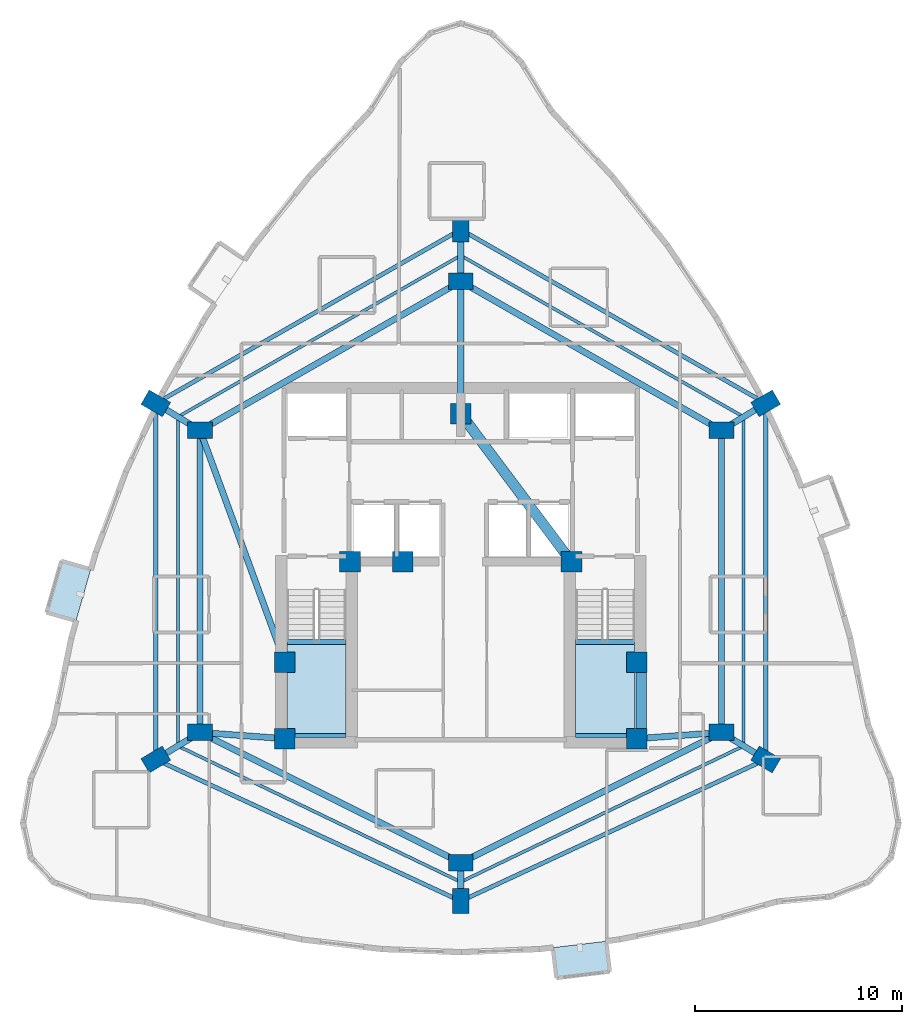
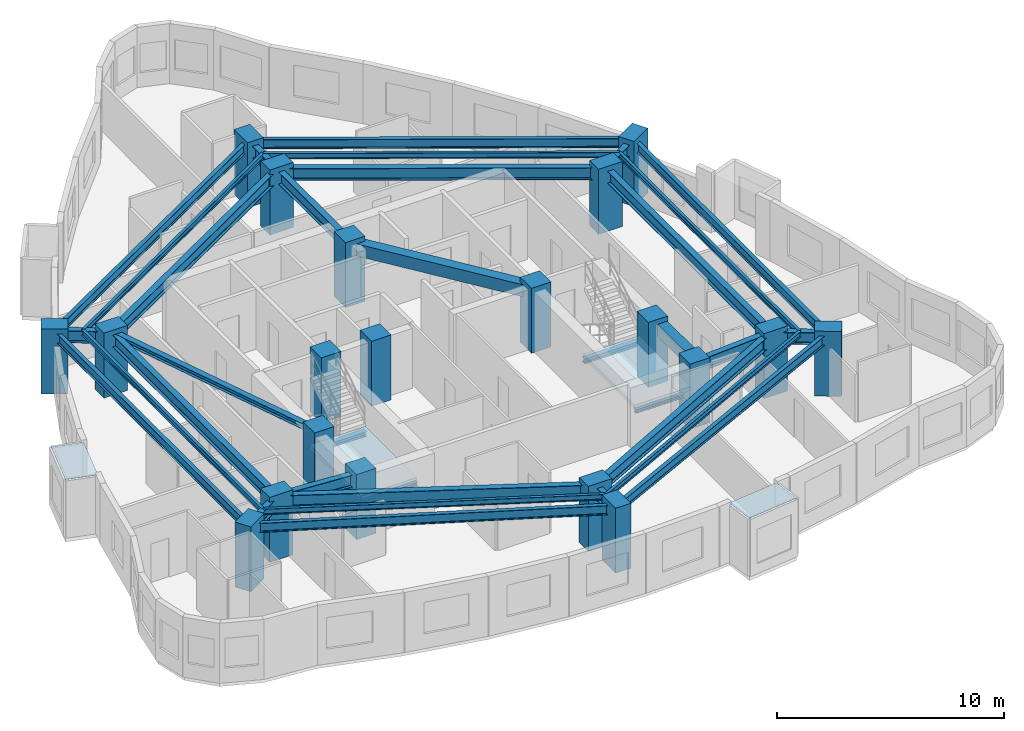
# One storey, part 1 of 10: 34 beams, 20 columns, 2 plates, 2 slabs, 2 elements without a shape of their own.
"""IFC4 building model written with IfcOpenShell, lengths in metres."""

from ifc_helpers import new_model, si_unit, direction, frame, origin, origin_2d, place, context, subcontext, project, spatial, polyline, rectangle, i_section, outline, extrude, material, layer, layer_set, material_profile, profile_set, type_object, element, aggregate, save


model = new_model("IFC4")

# Units and contexts
model_context = context("Model", 3, precision=1e-05, world=origin(), true_north=direction((0.0, 1.0)))
body_context = subcontext(model_context, "Body", "Model", "MODEL_VIEW")
ifc_project = project(units=[si_unit("LENGTHUNIT", "METRE"), si_unit("AREAUNIT", "SQUARE_METRE"), si_unit("VOLUMEUNIT", "CUBIC_METRE"), si_unit("PLANEANGLEUNIT", "RADIAN"), si_unit("MASSUNIT", "GRAM", prefix="KILO")], contexts=[model_context])

# Site, building, storey
site_placement = place(None, origin())
site = spatial("IfcSite", under=ifc_project, at=site_placement, CompositionType="ELEMENT")
building_placement = place(site_placement, origin())
building = spatial("IfcBuilding", under=site, at=building_placement, Name="Miruveldt Soraemaru", CompositionType="ELEMENT")
storey_placement = place(building_placement, frame((0.0, 0.0, 173.89990234375)))
storey = spatial("IfcBuildingStorey", under=building, at=storey_placement, Name="L48", CompositionType="ELEMENT", Elevation=173.89990234375)

# Columns
ifc_material_1 = material(Name="Concrete C60/75 (60 MPa)", Category="concrete")
ifc_material_profile_1 = material_profile(ifc_material_1, rectangle(XDim=1.0, YDim=1.0, at=origin_2d()), Name="Concrete C60/75 (60 MPa)", Category="concrete")
ifc_profile_set_1 = profile_set([ifc_material_profile_1], Name="Concrete C60/75 (60 MPa)")
column_type_1 = type_object("IfcColumnType", Name="COL-CORE-1000", PredefinedType="COLUMN", material=ifc_profile_set_1)
for number, where, z_axis, x_axis, name in (
    (1, (35.5, 35.5, 0.0), (0.0, 0.0, 1.0), (1.0, 0.0, 0.0), "L48 Structural Column CC1"),
    (2, (38.64990234375, 44.050048828125, 0.0), (0.0, 0.0, 1.0), (1.0, 0.0, 0.0), "L48 Structural Column CC2"),
    (3, (52.5, 35.5, 0.0), (0.0, 0.0, 1.0), (1.0, 0.0, 0.0), "L48 Structural Column CC3"),
    (4, (52.5, 39.199951171875, 0.0), (0.0, 0.0, 1.0), (1.0, 0.0, 0.0), "L48 Structural Column CC4"),
    (5, (49.35009765625, 44.050048828125, 0.0), (0.0, 0.0, 1.0), (1.0, 0.0, 0.0), "L48 Structural Column CC5"),
    (6, (44.0, 51.199951171875, 0.0), (0.0, 0.0, 1.0), (1.0, 0.0, 0.0), "L48 Structural Column CC6"),
    (7, (35.5, 39.199951171875, 0.0), (0.0, 0.0, 1.0), (1.0, 0.0, 0.0), "L48 Structural Column CC7"),
    (8, (41.199951171875, 44.050048828125, 0.0), (0.0, 0.0, 1.0), (1.0, 0.0, 0.0), "L48 Structural Column CC8"),
):
    element("IfcColumn", number, at=place(storey_placement, frame(where, z_axis=z_axis, x_axis=x_axis)), inside=storey, type_object=column_type_1, Name=name, PredefinedType="COLUMN", context=body_context, shape_type="SweptSolid", body=[
        extrude(rectangle(XDim=1.0, YDim=1.0, at=origin_2d()), origin(), (0.0, 0.0, 1.0), 3.5),
    ])
ifc_material_2 = material(Name="Concrete C70/85 (70 MPa)", Category="concrete")
ifc_material_profile_2 = material_profile(ifc_material_2, rectangle(XDim=1.199951171875, YDim=0.800048828125, at=origin_2d()), Name="Concrete C70/85 (70 MPa)", Category="concrete")
ifc_profile_set_2 = profile_set([ifc_material_profile_2], Name="Concrete C70/85 (70 MPa)")
column_type_2 = type_object("IfcColumnType", Name="COL-TW-Z2", PredefinedType="COLUMN", material=ifc_profile_set_2)
for number, where, z_axis, x_axis, name in (
    (9, (44.0, 57.60009765625, 0.0), (0.0, 0.0, 1.0), (1.0, 0.0, 0.0), "L48 Structural Column IR01"),
    (10, (56.60009765625, 50.39990234375, 0.0), (0.0, 0.0, 1.0), (1.0, 0.0, 0.0), "L48 Structural Column IR02"),
    (11, (56.60009765625, 35.800048828125, 0.0), (0.0, 0.0, 1.0), (1.0, 0.0, 0.0), "L48 Structural Column IR03"),
    (12, (44.0, 29.5, 0.0), (0.0, 0.0, 1.0), (1.0, 0.0, 0.0), "L48 Structural Column IR04"),
    (13, (31.39990234375, 35.800048828125, 0.0), (0.0, 0.0, 1.0), (1.0, 0.0, 0.0), "L48 Structural Column IR05"),
    (14, (31.39990234375, 50.39990234375, 0.0), (0.0, 0.0, 1.0), (1.0, 0.0, 0.0), "L48 Structural Column IR06"),
    (15, (44.0, 60.10595703125, 0.0), (0.0, 0.0, 1.0), (0.0, 1.0, 0.0), "L48 Structural Column Z2P01"),
    (16, (58.739990234375, 51.705078125, 0.0), (0.0, 0.0, 1.0), (0.866025403784, 0.5, 0.0), "L48 Structural Column Z2P02"),
    (17, (58.739990234375, 34.4951171875, 0.0), (0.0, 0.0, 1.0), (-0.860742027004, 0.50904141575, 0.0), "L48 Structural Column Z2P03"),
    (18, (44.0, 27.64697265625, 0.0), (0.0, 0.0, 1.0), (0.0, 1.0, 0.0), "L48 Structural Column Z2P04"),
    (19, (29.260009765625, 34.4951171875, 0.0), (0.0, 0.0, 1.0), (0.860742027004, 0.50904141575, 0.0), "L48 Structural Column Z2P05"),
    (20, (29.260009765625, 51.705078125, 0.0), (0.0, 0.0, 1.0), (-0.866025403784, 0.5, 0.0), "L48 Structural Column Z2P06"),
):
    element("IfcColumn", number, at=place(storey_placement, frame(where, z_axis=z_axis, x_axis=x_axis)), inside=storey, type_object=column_type_2, Name=name, PredefinedType="COLUMN", context=body_context, shape_type="SweptSolid", body=[
        extrude(rectangle(XDim=1.199951171875, YDim=0.800048828125, at=origin_2d()), origin(), (0.0, 0.0, 1.0), 3.5),
    ])

# Beams
ifc_material_3 = material(Name="Steel SM355 (355 MPa)", Category="steel")
ifc_material_profile_3 = material_profile(ifc_material_3, i_section(OverallWidth=0.300048828125, OverallDepth=0.300048828125, WebThickness=0.010009765625, FlangeThickness=0.014892578125, FilletRadius=0.01806640625, at=origin_2d()), Name="Steel SM355 (355 MPa)", Category="steel")
ifc_profile_set_3 = profile_set([ifc_material_profile_3], Name="Steel SM355 (355 MPa)")
beam_type_1 = type_object("IfcBeamType", Name="BM-LNT-H300", PredefinedType="LINTEL", material=ifc_profile_set_3)
beam_1_placement = place(storey_placement, frame((31.39990234375, 50.39990234375, 3.085205078125), z_axis=(0.343770424598, -0.939053723262, 0.0), x_axis=(0.939053723262, 0.343770424598, 0.0)))
element("IfcBeam", 21, at=beam_1_placement, inside=storey, type_object=beam_type_1, Name="L48 West Lobby Lintel", PredefinedType="LINTEL", context=body_context, shape_type="SweptSolid", body=[
    extrude(i_section(OverallWidth=0.300048828125, OverallDepth=0.300048828125, WebThickness=0.010009765625, FlangeThickness=0.014892578125, FilletRadius=0.01806640625, at=origin_2d()), origin(), (0.0, 0.0, 1.0), 11.9267578125),
])
ifc_material_4 = material(Name="Concrete C50/60 (50 MPa)", Category="concrete")
ifc_material_profile_4 = material_profile(ifc_material_4, rectangle(XDim=0.5, YDim=0.64990234375, at=origin_2d()), Name="Concrete C50/60 (50 MPa)", Category="concrete")
ifc_profile_set_4 = profile_set([ifc_material_profile_4], Name="Concrete C50/60 (50 MPa)")
beam_type_2 = type_object("IfcBeamType", Name="BM-RC-500x650", PredefinedType="BEAM", material=ifc_profile_set_4)
beam_2_placement = place(storey_placement, frame((52.72998046875, 35.5, 2.91015625), z_axis=(0.0, 1.0, 0.0), x_axis=(-1.0, 0.0, 0.0)))
element("IfcBeam", 22, at=beam_2_placement, inside=storey, type_object=beam_type_2, Name="L48 Core Tie Beam 3", PredefinedType="BEAM", context=body_context, shape_type="SweptSolid", body=[
    extrude(rectangle(XDim=0.5, YDim=0.64990234375, at=origin_2d()), origin(), (0.0, 0.0, 1.0), 3.699951171875),
])
beam_3_placement = place(storey_placement, frame((49.35009765625, 44.050048828125, 2.91015625), z_axis=(-0.599116023999, 0.800662219533, 0.0), x_axis=(-0.800662219533, -0.599116023999, 0.0)))
element("IfcBeam", 23, at=beam_3_placement, inside=storey, type_object=beam_type_2, Name="L48 Core Tie Beam 5", PredefinedType="BEAM", context=body_context, shape_type="SweptSolid", body=[
    extrude(rectangle(XDim=0.5, YDim=0.64990234375, at=origin_2d()), origin(), (0.0, 0.0, 1.0), 8.929931640625),
])
ifc_material_profile_5 = material_profile(ifc_material_3, i_section(OverallWidth=0.14990234375, OverallDepth=0.300048828125, WebThickness=0.006591796875, FlangeThickness=0.009033203125, FilletRadius=0.012939453125, at=origin_2d()), Name="Steel SM355 (355 MPa)", Category="steel")
ifc_profile_set_5 = profile_set([ifc_material_profile_5], Name="Steel SM355 (355 MPa)")
beam_type_3 = type_object("IfcBeamType", Name="BM-ST-H300", PredefinedType="JOIST", material=ifc_profile_set_5)
beam_4_placement = place(storey_placement, frame((44.0, 58.85302734375, 3.085205078125), z_axis=(0.868539859756, -0.495619321672, 0.0), x_axis=(0.495619321672, 0.868539859756, 0.0)))
element("IfcBeam", 24, at=beam_4_placement, inside=storey, type_object=beam_type_3, Name="L48 Outer Bay Floor Joist 1", PredefinedType="JOIST", context=body_context, shape_type="SweptSolid", body=[
    extrude(i_section(OverallWidth=0.14990234375, OverallDepth=0.300048828125, WebThickness=0.006591796875, FlangeThickness=0.009033203125, FilletRadius=0.012939453125, at=origin_2d()), origin(), (0.0, 0.0, 1.0), 15.739013671875),
])
beam_5_placement = place(storey_placement, frame((57.669921875, 51.052490234375, 3.085205078125), z_axis=(0.0, -1.0, 0.0), x_axis=(1.0, 0.0, 0.0)))
element("IfcBeam", 25, at=beam_5_placement, inside=storey, type_object=beam_type_3, Name="L48 Outer Bay Floor Joist 2", PredefinedType="JOIST", context=body_context, shape_type="SweptSolid", body=[
    extrude(i_section(OverallWidth=0.14990234375, OverallDepth=0.300048828125, WebThickness=0.006591796875, FlangeThickness=0.009033203125, FilletRadius=0.012939453125, at=origin_2d()), origin(), (0.0, 0.0, 1.0), 15.905029296875),
])
for number, where, z_axis, x_axis, name in (
    (26, (57.669921875, 35.1474609375, 3.085205078125), (-0.901203586802, -0.433396002676, 0.0), (0.433396002676, -0.901203586802, 0.0), "L48 Outer Bay Floor Joist 3"),
    (27, (44.0, 28.573486328125, 3.085205078125), (-0.901203586802, 0.433396002676, 0.0), (-0.433396002676, -0.901203586802, 0.0), "L48 Outer Bay Floor Joist 4"),
):
    element("IfcBeam", number, at=place(storey_placement, frame(where, z_axis=z_axis, x_axis=x_axis)), inside=storey, type_object=beam_type_3, Name=name, PredefinedType="JOIST", context=body_context, shape_type="SweptSolid", body=[
        extrude(i_section(OverallWidth=0.14990234375, OverallDepth=0.300048828125, WebThickness=0.006591796875, FlangeThickness=0.009033203125, FilletRadius=0.012939453125, at=origin_2d()), origin(), (0.0, 0.0, 1.0), 15.16845703125),
    ])
beam_6_placement = place(storey_placement, frame((30.330078125, 35.1474609375, 3.085205078125), z_axis=(0.0, 1.0, 0.0), x_axis=(-1.0, 0.0, 0.0)))
element("IfcBeam", 28, at=beam_6_placement, inside=storey, type_object=beam_type_3, Name="L48 Outer Bay Floor Joist 5", PredefinedType="JOIST", context=body_context, shape_type="SweptSolid", body=[
    extrude(i_section(OverallWidth=0.14990234375, OverallDepth=0.300048828125, WebThickness=0.006591796875, FlangeThickness=0.009033203125, FilletRadius=0.012939453125, at=origin_2d()), origin(), (0.0, 0.0, 1.0), 15.905029296875),
])
beam_7_placement = place(storey_placement, frame((30.330078125, 51.052490234375, 3.085205078125), z_axis=(0.868539859756, 0.495619321672, 0.0), x_axis=(-0.495619321672, 0.868539859756, 0.0)))
element("IfcBeam", 29, at=beam_7_placement, inside=storey, type_object=beam_type_3, Name="L48 Outer Bay Floor Joist 6", PredefinedType="JOIST", context=body_context, shape_type="SweptSolid", body=[
    extrude(i_section(OverallWidth=0.14990234375, OverallDepth=0.300048828125, WebThickness=0.006591796875, FlangeThickness=0.009033203125, FilletRadius=0.012939453125, at=origin_2d()), origin(), (0.0, 0.0, 1.0), 15.739013671875),
])
ifc_material_profile_6 = material_profile(ifc_material_3, i_section(OverallWidth=0.199951171875, OverallDepth=0.5, WebThickness=0.010009765625, FlangeThickness=0.01611328125, FilletRadius=0.02001953125, at=origin_2d()), Name="Steel SM355 (355 MPa)", Category="steel")
ifc_profile_set_6 = profile_set([ifc_material_profile_6], Name="Steel SM355 (355 MPa)")
beam_type_4 = type_object("IfcBeamType", Name="BM-ST-H500", PredefinedType="SPANDREL", material=ifc_profile_set_6)
beam_8_placement = place(storey_placement, frame((44.0, 60.10595703125, 2.985107421875), z_axis=(0.86880048516, -0.495162313778, 0.0), x_axis=(0.495162313778, 0.86880048516, 0.0)))
element("IfcBeam", 30, at=beam_8_placement, inside=storey, type_object=beam_type_4, Name="L48 Zone-2 Spandrel Beam 1", PredefinedType="SPANDREL", context=body_context, shape_type="SweptSolid", body=[
    extrude(i_section(OverallWidth=0.199951171875, OverallDepth=0.5, WebThickness=0.010009765625, FlangeThickness=0.01611328125, FilletRadius=0.02001953125, at=origin_2d()), origin(), (0.0, 0.0, 1.0), 16.9658203125),
])
beam_9_placement = place(storey_placement, frame((58.739990234375, 51.705078125, 2.985107421875), z_axis=(0.0, -1.0, 0.0), x_axis=(1.0, 0.0, 0.0)))
element("IfcBeam", 31, at=beam_9_placement, inside=storey, type_object=beam_type_4, Name="L48 Zone-2 Spandrel Beam 2", PredefinedType="SPANDREL", context=body_context, shape_type="SweptSolid", body=[
    extrude(i_section(OverallWidth=0.199951171875, OverallDepth=0.5, WebThickness=0.010009765625, FlangeThickness=0.01611328125, FilletRadius=0.02001953125, at=origin_2d()), origin(), (0.0, 0.0, 1.0), 17.2099609375),
])
for number, where, z_axis, x_axis, name in (
    (32, (58.739990234375, 34.4951171875, 2.985107421875), (-0.906901362829, -0.421342993414, 0.0), (0.421342993414, -0.906901362829, 0.0), "L48 Zone-2 Spandrel Beam 3"),
    (33, (44.0, 27.64697265625, 2.985107421875), (-0.906901362829, 0.421342993414, 0.0), (-0.421342993414, -0.906901362829, 0.0), "L48 Zone-2 Spandrel Beam 4"),
):
    element("IfcBeam", number, at=place(storey_placement, frame(where, z_axis=z_axis, x_axis=x_axis)), inside=storey, type_object=beam_type_4, Name=name, PredefinedType="SPANDREL", context=body_context, shape_type="SweptSolid", body=[
        extrude(i_section(OverallWidth=0.199951171875, OverallDepth=0.5, WebThickness=0.010009765625, FlangeThickness=0.01611328125, FilletRadius=0.02001953125, at=origin_2d()), origin(), (0.0, 0.0, 1.0), 16.253173828125),
    ])
beam_10_placement = place(storey_placement, frame((29.260009765625, 34.4951171875, 2.985107421875), z_axis=(0.0, 1.0, 0.0), x_axis=(-1.0, 0.0, 0.0)))
element("IfcBeam", 34, at=beam_10_placement, inside=storey, type_object=beam_type_4, Name="L48 Zone-2 Spandrel Beam 5", PredefinedType="SPANDREL", context=body_context, shape_type="SweptSolid", body=[
    extrude(i_section(OverallWidth=0.199951171875, OverallDepth=0.5, WebThickness=0.010009765625, FlangeThickness=0.01611328125, FilletRadius=0.02001953125, at=origin_2d()), origin(), (0.0, 0.0, 1.0), 17.2099609375),
])
beam_11_placement = place(storey_placement, frame((29.260009765625, 51.705078125, 2.985107421875), z_axis=(0.86880048516, 0.495162313778, 0.0), x_axis=(-0.495162313778, 0.86880048516, 0.0)))
element("IfcBeam", 35, at=beam_11_placement, inside=storey, type_object=beam_type_4, Name="L48 Zone-2 Spandrel Beam 6", PredefinedType="SPANDREL", context=body_context, shape_type="SweptSolid", body=[
    extrude(i_section(OverallWidth=0.199951171875, OverallDepth=0.5, WebThickness=0.010009765625, FlangeThickness=0.01611328125, FilletRadius=0.02001953125, at=origin_2d()), origin(), (0.0, 0.0, 1.0), 16.9658203125),
])
ifc_material_profile_7 = material_profile(ifc_material_3, i_section(OverallWidth=0.300048828125, OverallDepth=0.64990234375, WebThickness=0.012939453125, FlangeThickness=0.02197265625, FilletRadius=0.02587890625, at=origin_2d()), Name="Steel SM355 (355 MPa)", Category="steel")
ifc_profile_set_7 = profile_set([ifc_material_profile_7], Name="Steel SM355 (355 MPa)")
beam_type_5 = type_object("IfcBeamType", Name="BM-ST-H650", PredefinedType="BEAM", material=ifc_profile_set_7)
beam_12_placement = place(storey_placement, frame((44.0, 57.60009765625, 2.91015625), z_axis=(0.868239001029, -0.496146185203, 0.0), x_axis=(0.496146185203, 0.868239001029, 0.0)))
element("IfcBeam", 36, at=beam_12_placement, inside=storey, type_object=beam_type_5, Name="L48 Inner Ring Girder 1", PredefinedType="BEAM", context=body_context, shape_type="SweptSolid", body=[
    extrude(i_section(OverallWidth=0.300048828125, OverallDepth=0.64990234375, WebThickness=0.012939453125, FlangeThickness=0.02197265625, FilletRadius=0.02587890625, at=origin_2d()), origin(), (0.0, 0.0, 1.0), 14.51220703125),
])
beam_13_placement = place(storey_placement, frame((44.0, 51.199951171875, 2.91015625), z_axis=(0.0, 1.0, 0.0), x_axis=(-1.0, 0.0, 0.0)))
element("IfcBeam", 37, at=beam_13_placement, inside=storey, type_object=beam_type_5, Name="L48 Core-to-Inner Radial Girder 1", PredefinedType="BEAM", context=body_context, shape_type="SweptSolid", body=[
    extrude(i_section(OverallWidth=0.300048828125, OverallDepth=0.64990234375, WebThickness=0.012939453125, FlangeThickness=0.02197265625, FilletRadius=0.02587890625, at=origin_2d()), origin(), (0.0, 0.0, 1.0), 6.400146484375),
])
beam_14_placement = place(storey_placement, frame((56.60009765625, 50.39990234375, 2.91015625), z_axis=(0.0, -1.0, 0.0), x_axis=(1.0, 0.0, 0.0)))
element("IfcBeam", 38, at=beam_14_placement, inside=storey, type_object=beam_type_5, Name="L48 Inner Ring Girder 2", PredefinedType="BEAM", context=body_context, shape_type="SweptSolid", body=[
    extrude(i_section(OverallWidth=0.300048828125, OverallDepth=0.64990234375, WebThickness=0.012939453125, FlangeThickness=0.02197265625, FilletRadius=0.02587890625, at=origin_2d()), origin(), (0.0, 0.0, 1.0), 14.599853515625),
])
beam_15_placement = place(storey_placement, frame((56.60009765625, 35.800048828125, 2.91015625), z_axis=(-0.894427191, -0.4472135955, 0.0), x_axis=(0.4472135955, -0.894427191, 0.0)))
element("IfcBeam", 39, at=beam_15_placement, inside=storey, type_object=beam_type_5, Name="L48 Inner Ring Girder 3", PredefinedType="BEAM", context=body_context, shape_type="SweptSolid", body=[
    extrude(i_section(OverallWidth=0.300048828125, OverallDepth=0.64990234375, WebThickness=0.012939453125, FlangeThickness=0.02197265625, FilletRadius=0.02587890625, at=origin_2d()), origin(), (0.0, 0.0, 1.0), 14.08740234375),
])
beam_16_placement = place(storey_placement, frame((52.5, 35.5, 2.91015625), z_axis=(0.997332985605, 0.072985723431, 0.0), x_axis=(-0.072985723431, 0.997332985605, 0.0)))
element("IfcBeam", 40, at=beam_16_placement, inside=storey, type_object=beam_type_5, Name="L48 Core-to-Inner Radial Girder 3", PredefinedType="BEAM", context=body_context, shape_type="SweptSolid", body=[
    extrude(i_section(OverallWidth=0.300048828125, OverallDepth=0.64990234375, WebThickness=0.012939453125, FlangeThickness=0.02197265625, FilletRadius=0.02587890625, at=origin_2d()), origin(), (0.0, 0.0, 1.0), 4.111083984375),
])
beam_17_placement = place(storey_placement, frame((44.0, 29.5, 2.91015625), z_axis=(-0.894427191, 0.4472135955, 0.0), x_axis=(-0.4472135955, -0.894427191, 0.0)))
element("IfcBeam", 41, at=beam_17_placement, inside=storey, type_object=beam_type_5, Name="L48 Inner Ring Girder 4", PredefinedType="BEAM", context=body_context, shape_type="SweptSolid", body=[
    extrude(i_section(OverallWidth=0.300048828125, OverallDepth=0.64990234375, WebThickness=0.012939453125, FlangeThickness=0.02197265625, FilletRadius=0.02587890625, at=origin_2d()), origin(), (0.0, 0.0, 1.0), 14.08740234375),
])
beam_18_placement = place(storey_placement, frame((31.39990234375, 35.800048828125, 2.91015625), z_axis=(0.0, 1.0, 0.0), x_axis=(-1.0, 0.0, 0.0)))
element("IfcBeam", 42, at=beam_18_placement, inside=storey, type_object=beam_type_5, Name="L48 Inner Ring Girder 5", PredefinedType="BEAM", context=body_context, shape_type="SweptSolid", body=[
    extrude(i_section(OverallWidth=0.300048828125, OverallDepth=0.64990234375, WebThickness=0.012939453125, FlangeThickness=0.02197265625, FilletRadius=0.02587890625, at=origin_2d()), origin(), (0.0, 0.0, 1.0), 14.599853515625),
])
beam_19_placement = place(storey_placement, frame((35.5, 35.5, 2.91015625), z_axis=(-0.997332985605, 0.072985723431, 0.0), x_axis=(-0.072985723431, -0.997332985605, 0.0)))
element("IfcBeam", 43, at=beam_19_placement, inside=storey, type_object=beam_type_5, Name="L48 Core-to-Inner Radial Girder 5", PredefinedType="BEAM", context=body_context, shape_type="SweptSolid", body=[
    extrude(i_section(OverallWidth=0.300048828125, OverallDepth=0.64990234375, WebThickness=0.012939453125, FlangeThickness=0.02197265625, FilletRadius=0.02587890625, at=origin_2d()), origin(), (0.0, 0.0, 1.0), 4.111083984375),
])
beam_20_placement = place(storey_placement, frame((31.39990234375, 50.39990234375, 2.91015625), z_axis=(0.868239001029, 0.496146185203, 0.0), x_axis=(-0.496146185203, 0.868239001029, 0.0)))
element("IfcBeam", 44, at=beam_20_placement, inside=storey, type_object=beam_type_5, Name="L48 Inner Ring Girder 6", PredefinedType="BEAM", context=body_context, shape_type="SweptSolid", body=[
    extrude(i_section(OverallWidth=0.300048828125, OverallDepth=0.64990234375, WebThickness=0.012939453125, FlangeThickness=0.02197265625, FilletRadius=0.02587890625, at=origin_2d()), origin(), (0.0, 0.0, 1.0), 14.51220703125),
])
beam_21_placement = place(storey_placement, frame((44.0, 57.60009765625, 2.91015625), z_axis=(0.0, 1.0, 0.0), x_axis=(-1.0, 0.0, 0.0)))
element("IfcBeam", 45, at=beam_21_placement, inside=storey, type_object=beam_type_5, Name="L48 Zone-2 Radial Girder 1", PredefinedType="BEAM", context=body_context, shape_type="SweptSolid", body=[
    extrude(i_section(OverallWidth=0.300048828125, OverallDepth=0.64990234375, WebThickness=0.012939453125, FlangeThickness=0.02197265625, FilletRadius=0.02587890625, at=origin_2d()), origin(), (0.0, 0.0, 1.0), 2.505859375),
])
beam_22_placement = place(storey_placement, frame((56.60009765625, 50.39990234375, 2.91015625), z_axis=(0.85373175529, 0.520713059188, 0.0), x_axis=(-0.520713059188, 0.85373175529, 0.0)))
element("IfcBeam", 46, at=beam_22_placement, inside=storey, type_object=beam_type_5, Name="L48 Zone-2 Radial Girder 2", PredefinedType="BEAM", context=body_context, shape_type="SweptSolid", body=[
    extrude(i_section(OverallWidth=0.300048828125, OverallDepth=0.64990234375, WebThickness=0.012939453125, FlangeThickness=0.02197265625, FilletRadius=0.02587890625, at=origin_2d()), origin(), (0.0, 0.0, 1.0), 2.506591796875),
])
beam_23_placement = place(storey_placement, frame((56.60009765625, 35.800048828125, 2.91015625), z_axis=(0.853775054686, -0.5206420613, 0.0), x_axis=(0.5206420613, 0.853775054686, 0.0)))
element("IfcBeam", 47, at=beam_23_placement, inside=storey, type_object=beam_type_5, Name="L48 Zone-2 Radial Girder 3", PredefinedType="BEAM", context=body_context, shape_type="SweptSolid", body=[
    extrude(i_section(OverallWidth=0.300048828125, OverallDepth=0.64990234375, WebThickness=0.012939453125, FlangeThickness=0.02197265625, FilletRadius=0.02587890625, at=origin_2d()), origin(), (0.0, 0.0, 1.0), 2.50634765625),
])
beam_24_placement = place(storey_placement, frame((44.0, 29.5, 2.91015625), z_axis=(0.0, -1.0, 0.0), x_axis=(1.0, 0.0, 0.0)))
element("IfcBeam", 48, at=beam_24_placement, inside=storey, type_object=beam_type_5, Name="L48 Zone-2 Radial Girder 4", PredefinedType="BEAM", context=body_context, shape_type="SweptSolid", body=[
    extrude(i_section(OverallWidth=0.300048828125, OverallDepth=0.64990234375, WebThickness=0.012939453125, FlangeThickness=0.02197265625, FilletRadius=0.02587890625, at=origin_2d()), origin(), (0.0, 0.0, 1.0), 1.85302734375),
])
beam_25_placement = place(storey_placement, frame((31.39990234375, 35.800048828125, 2.91015625), z_axis=(-0.853775054686, -0.5206420613, 0.0), x_axis=(0.5206420613, -0.853775054686, 0.0)))
element("IfcBeam", 49, at=beam_25_placement, inside=storey, type_object=beam_type_5, Name="L48 Zone-2 Radial Girder 5", PredefinedType="BEAM", context=body_context, shape_type="SweptSolid", body=[
    extrude(i_section(OverallWidth=0.300048828125, OverallDepth=0.64990234375, WebThickness=0.012939453125, FlangeThickness=0.02197265625, FilletRadius=0.02587890625, at=origin_2d()), origin(), (0.0, 0.0, 1.0), 2.50634765625),
])
beam_26_placement = place(storey_placement, frame((31.39990234375, 50.39990234375, 2.91015625), z_axis=(-0.85373175529, 0.520713059188, 0.0), x_axis=(-0.520713059188, -0.85373175529, 0.0)))
element("IfcBeam", 50, at=beam_26_placement, inside=storey, type_object=beam_type_5, Name="L48 Zone-2 Radial Girder 6", PredefinedType="BEAM", context=body_context, shape_type="SweptSolid", body=[
    extrude(i_section(OverallWidth=0.300048828125, OverallDepth=0.64990234375, WebThickness=0.012939453125, FlangeThickness=0.02197265625, FilletRadius=0.02587890625, at=origin_2d()), origin(), (0.0, 0.0, 1.0), 2.506591796875),
])
ifc_material_profile_8 = material_profile(ifc_material_3, i_section(OverallWidth=0.199951171875, OverallDepth=0.199951171875, WebThickness=0.008056640625, FlangeThickness=0.011962890625, FilletRadius=0.012939453125, at=origin_2d()), Name="Steel SM355 (355 MPa)", Category="steel")
ifc_profile_set_8 = profile_set([ifc_material_profile_8], Name="Steel SM355 (355 MPa)")
beam_type_6 = type_object("IfcBeamType", Name="BM-ST-LND200", PredefinedType="BEAM", material=ifc_profile_set_8)
for number, where, z_axis, x_axis, name in (
    (51, (35.60009765625, 35.64990234375, 1.4501953125), (1.0, 0.0, 0.0), (0.0, 1.0, 0.0), "L48 ST1 Landing End Beam 1B"),
    (52, (49.550048828125, 35.64990234375, 1.4501953125), (1.0, 0.0, 0.0), (0.0, 1.0, 0.0), "L48 ST2 Landing End Beam 1B"),
):
    element("IfcBeam", number, at=place(storey_placement, frame(where, z_axis=z_axis, x_axis=x_axis)), inside=storey, type_object=beam_type_6, Name=name, PredefinedType="BEAM", context=body_context, shape_type="SweptSolid", body=[
        extrude(i_section(OverallWidth=0.199951171875, OverallDepth=0.199951171875, WebThickness=0.008056640625, FlangeThickness=0.011962890625, FilletRadius=0.012939453125, at=origin_2d()), origin(), (0.0, 0.0, 1.0), 2.849853515625),
    ])
ifc_material_profile_9 = material_profile(ifc_material_3, i_section(OverallWidth=0.25, OverallDepth=0.25, WebThickness=0.009033203125, FlangeThickness=0.013916015625, FilletRadius=0.01611328125, at=origin_2d()), Name="Steel SM355 (355 MPa)", Category="steel")
ifc_profile_set_9 = profile_set([ifc_material_profile_9], Name="Steel SM355 (355 MPa)")
beam_type_7 = type_object("IfcBeamType", Name="BM-ST-LND250", PredefinedType="BEAM", material=ifc_profile_set_9)
for number, where, z_axis, x_axis, name in (
    (53, (35.60009765625, 40.179931640625, 1.425048828125), (1.0, 0.0, 0.0), (0.0, 1.0, 0.0), "L48 ST1 Landing Support Beam 1A"),
    (54, (49.550048828125, 40.179931640625, 1.425048828125), (1.0, 0.0, 0.0), (0.0, 1.0, 0.0), "L48 ST2 Landing Support Beam 1A"),
):
    element("IfcBeam", number, at=place(storey_placement, frame(where, z_axis=z_axis, x_axis=x_axis)), inside=storey, type_object=beam_type_7, Name=name, PredefinedType="BEAM", context=body_context, shape_type="SweptSolid", body=[
        extrude(i_section(OverallWidth=0.25, OverallDepth=0.25, WebThickness=0.009033203125, FlangeThickness=0.013916015625, FilletRadius=0.01611328125, at=origin_2d()), origin(), (0.0, 0.0, 1.0), 2.849853515625),
    ])

# Plates
ifc_material_5 = material(Name="Standing-seam titanium-zinc sheet", Category="aluminium")
ifc_layer_1 = layer(ifc_material_5, 0.011962890625, Name="Standing-seam titanium-zinc sheet", Category="aluminium")
ifc_layer_set_1 = layer_set([ifc_layer_1], Name="Standing-seam titanium-zinc sheet")
plate_type = type_object("IfcPlateType", Name="PLT-ZINC-12", PredefinedType="SHEET", material=ifc_layer_set_1)
plate_1_placement = place(storey_placement, frame((0.0, 0.0, 3.085205078125)))
element("IfcPlate", 55, at=plate_1_placement, inside=storey, type_object=plate_type, Name="L48 Bay Window Zinc Hood Sheet 2", PredefinedType="SHEET", context=body_context, shape_type="SweptSolid", body=[
    extrude(outline(polyline([(26.118896484375, 43.68896484375), (25.40380859375, 41.189208984375), (23.98095703125, 41.59619140625), (24.696044921875, 44.095947265625), (26.118896484375, 43.68896484375)])), origin(), (0.0, 0.0, 1.0), 0.011962890625),
])
plate_2_placement = place(storey_placement, frame((0.0, 0.0, 3.085205078125)))
element("IfcPlate", 56, at=plate_2_placement, inside=storey, type_object=plate_type, Name="L48 Bay Window Zinc Hood Sheet 3", PredefinedType="SHEET", context=body_context, shape_type="SweptSolid", body=[
    extrude(outline(polyline([(48.447998046875, 25.400390625), (51.029541015625, 25.7099609375), (51.205810546875, 24.240478515625), (48.62451171875, 23.930908203125), (48.447998046875, 25.400390625)])), origin(), (0.0, 0.0, 1.0), 0.011962890625),
])

# Stair, slab
ifc_material_6 = material(Name="Concrete C40/50 (40 MPa)", Category="concrete")
stair_type = type_object("IfcStairType", Name="STAIR-DL-350", PredefinedType="HALF_TURN_STAIR", material=ifc_material_6)
stair_1_placement = place(storey_placement, origin())
stair_1 = element("IfcStair", 57, at=stair_1_placement, inside=storey, type_object=stair_type, Name="L48 Protected Exit Stair ST-1", PredefinedType="HALF_TURN_STAIR")
ifc_layer_2 = layer(ifc_material_6, 0.199951171875, Name="Concrete C40/50 (40 MPa)", Category="concrete")
ifc_layer_set_2 = layer_set([ifc_layer_2], Name="Concrete C40/50 (40 MPa)")
slab_type = type_object("IfcSlabType", Name="SLAB-LAND-200", PredefinedType="LANDING", material=ifc_layer_set_2)
slab_1_placement = place(storey_placement, frame((0.0, 0.0, 1.550048828125)))
slab_1 = element("IfcSlab", 58, at=slab_1_placement, type_object=slab_type, Name="ST-1 landing 1", PredefinedType="LANDING", context=body_context, shape_type="SweptSolid", body=[
    extrude(outline(polyline([(35.60009765625, 40.197998046875), (35.60009765625, 35.64990234375), (38.449951171875, 35.64990234375), (38.449951171875, 40.197998046875), (35.60009765625, 40.197998046875)])), origin(), (0.0, 0.0, 1.0), 0.199951171875),
])
aggregate(stair_1, [slab_1])

stair_2_placement = place(storey_placement, origin())
stair_2 = element("IfcStair", 59, at=stair_2_placement, inside=storey, type_object=stair_type, Name="L48 Protected Exit Stair ST-2", PredefinedType="HALF_TURN_STAIR")
slab_2_placement = place(storey_placement, frame((0.0, 0.0, 1.550048828125)))
slab_2 = element("IfcSlab", 60, at=slab_2_placement, type_object=slab_type, Name="ST-2 landing 1", PredefinedType="LANDING", context=body_context, shape_type="SweptSolid", body=[
    extrude(outline(polyline([(49.550048828125, 40.197998046875), (49.550048828125, 35.64990234375), (52.39990234375, 35.64990234375), (52.39990234375, 40.197998046875), (49.550048828125, 40.197998046875)])), origin(), (0.0, 0.0, 1.0), 0.199951171875),
])
aggregate(stair_2, [slab_2])

save(model, "model.ifc")
